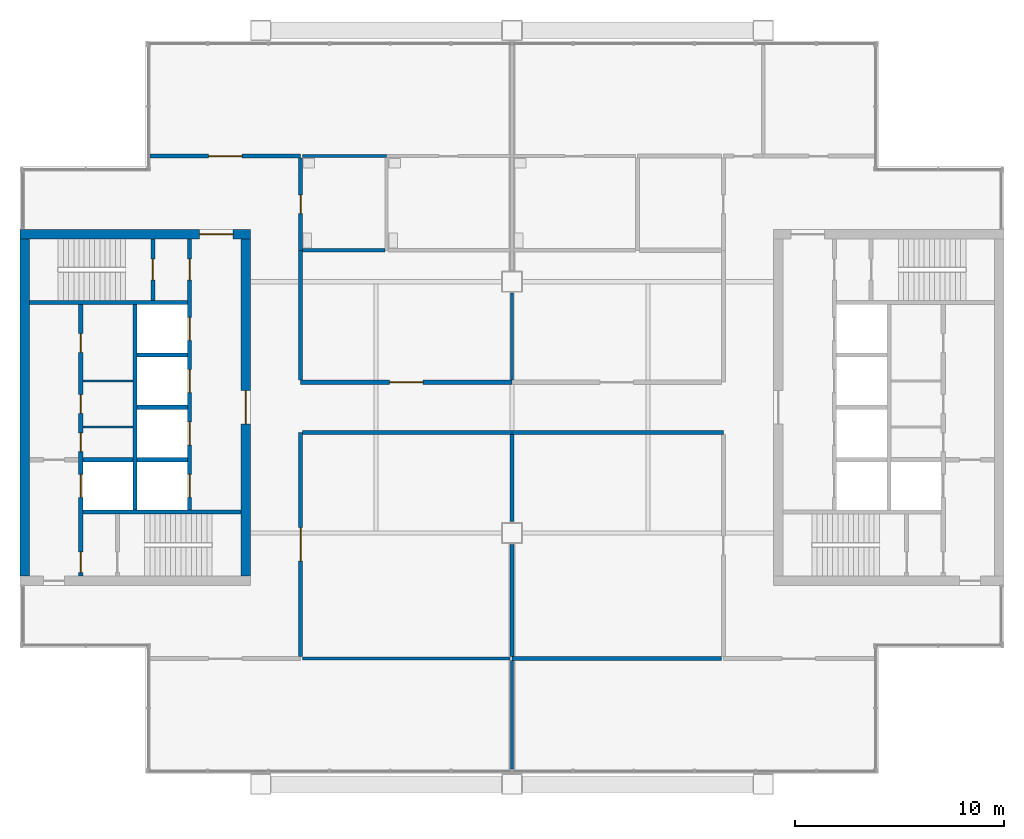
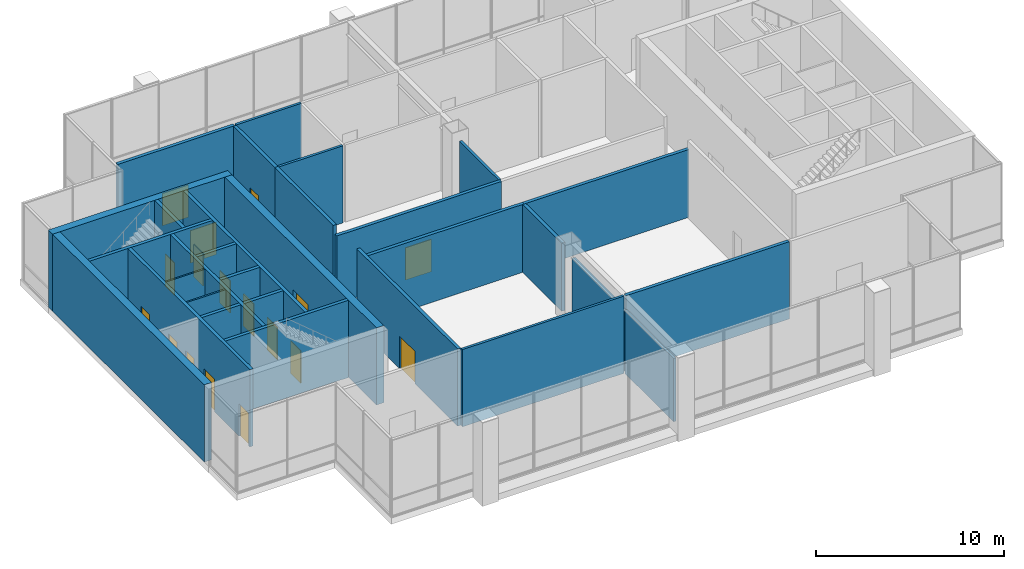
# One storey, part 11 of 15: 30 walls, 17 doors, 17 openings.
"""IFC4 building model written with IfcOpenShell, lengths in metres."""

from ifc_helpers import new_model, si_unit, direction, frame, frame_2d, origin, place, context, subcontext, project, spatial, rectangle, extrude, material, layer, layer_set, type_object, element, fill, save


model = new_model("IFC4")

# Units and contexts
model_context = context("Model", 3, precision=1e-05, world=origin(), true_north=direction((0.0, 1.0)))
body_context = subcontext(model_context, "Body", "Model", "MODEL_VIEW")
ifc_project = project(units=[si_unit("LENGTHUNIT", "METRE"), si_unit("AREAUNIT", "SQUARE_METRE"), si_unit("VOLUMEUNIT", "CUBIC_METRE"), si_unit("PLANEANGLEUNIT", "RADIAN"), si_unit("MASSUNIT", "GRAM", prefix="KILO")], contexts=[model_context])

# Site, building, storey
site_placement = place(None, origin())
site = spatial("IfcSite", under=ifc_project, at=site_placement, CompositionType="ELEMENT")
building_placement = place(site_placement, origin())
building = spatial("IfcBuilding", under=site, at=building_placement, Name="Kitamizu Gate Tower and Museum", CompositionType="ELEMENT")
storey_placement = place(building_placement, frame((0.0, 0.0, 277.949951171875)))
storey = spatial("IfcBuildingStorey", under=building, at=storey_placement, Name="L75", CompositionType="ELEMENT", Elevation=277.949951171875)

# Wall, opening, door
ifc_material_1 = material(Name="Concrete Fc42", Category="concrete")
ifc_layer_1 = layer(ifc_material_1, 0.449951171875)
ifc_layer_set_1 = layer_set([ifc_layer_1], Name="Concrete Fc42")
wall_type_1 = type_object("IfcWallType", Name="Core wall 450 EI 60", PredefinedType="SHEAR", material=ifc_layer_set_1)
wall_1_placement = place(storey_placement, frame((12.5, 38.27490234375, 0.0), z_axis=(0.0, 0.0, 1.0), x_axis=(1.0, 0.0, 0.0)))
wall_1 = element("IfcWall", 1, at=wall_1_placement, inside=storey, type_object=wall_type_1, Name="Core wall WN", PredefinedType="SHEAR", context=body_context, shape_type="SweptSolid", body=[
    extrude(rectangle(XDim=11.0, YDim=0.449951171875, at=frame_2d((5.5, 0.0))), origin(), (0.0, 0.0, 1.0), 5.0),
])
opening_1_placement = place(wall_1_placement, frame((8.574951171875, 0.0, 0.0)))
opening_1 = element("IfcOpeningElement", 2, at=opening_1_placement, cuts=wall_1, Name="Opening L75-020", PredefinedType="OPENING", context=body_context, shape_type="SweptSolid", body=[
    extrude(rectangle(XDim=1.60009765625, YDim=2.10009765625, at=frame_2d((0.800048828125, 1.050048828125))), frame((0.0, 0.23486328125, 0.0), z_axis=(0.0, -1.0, 0.0), x_axis=(1.0, 0.0, 0.0)), (0.0, 0.0, 1.0), 0.469970703125),
])
ifc_material_2 = material(Name="Timber door set", Category="wood")
door_type_1 = type_object("IfcDoorType", Name="Entrance door 1600", OperationType="DOUBLE_DOOR_SINGLE_SWING", PredefinedType="DOOR", material=ifc_material_2)
door_1_placement = place(opening_1_placement, origin())
door_1 = element("IfcDoor", 3, at=door_1_placement, inside=storey, type_object=door_type_1, Name="Lobby door L75-020", OperationType="DOUBLE_DOOR_SINGLE_SWING", OverallHeight=2.10009765625, OverallWidth=1.60009765625, PredefinedType="DOOR", context=body_context, shape_type="SweptSolid", body=[
    extrude(rectangle(XDim=1.60009765625, YDim=2.10009765625, at=frame_2d((0.800048828125, 1.050048828125))), frame((0.0, 0.02490234375, 0.0), z_axis=(0.0, -1.0, 0.0), x_axis=(1.0, 0.0, 0.0)), (0.0, 0.0, 1.0), 0.050048828125),
])
fill(opening_1, door_1)

# Wall
wall_2_placement = place(storey_placement, frame((12.72509765625, 21.949951171875, 0.0), z_axis=(0.0, 0.0, 1.0), x_axis=(0.0, 1.0, 0.0)))
element("IfcWall", 4, at=wall_2_placement, inside=storey, type_object=wall_type_1, Name="Core wall WOUT", PredefinedType="SHEAR", context=body_context, shape_type="SweptSolid", body=[
    extrude(rectangle(XDim=16.10009765625, YDim=0.449951171875, at=frame_2d((8.050048828125, 0.0))), origin(), (0.0, 0.0, 1.0), 5.0),
])

# Wall, opening, door
wall_3_placement = place(storey_placement, frame((23.27490234375, 21.949951171875, 0.0), z_axis=(0.0, 0.0, 1.0), x_axis=(0.0, 1.0, 0.0)))
wall_3 = element("IfcWall", 5, at=wall_3_placement, inside=storey, type_object=wall_type_1, Name="Core wall WARC", PredefinedType="SHEAR", context=body_context, shape_type="SweptSolid", body=[
    extrude(rectangle(XDim=16.10009765625, YDim=0.449951171875, at=frame_2d((8.050048828125, 0.0))), origin(), (0.0, 0.0, 1.0), 5.0),
])
opening_2_placement = place(wall_3_placement, frame((7.25, 0.0, 0.0)))
opening_2 = element("IfcOpeningElement", 6, at=opening_2_placement, cuts=wall_3, Name="Opening L75-021", PredefinedType="OPENING", context=body_context, shape_type="SweptSolid", body=[
    extrude(rectangle(XDim=1.60009765625, YDim=2.10009765625, at=frame_2d((0.800048828125, 1.050048828125))), frame((0.0, 0.23486328125, 0.0), z_axis=(0.0, -1.0, 0.0), x_axis=(1.0, 0.0, 0.0)), (0.0, 0.0, 1.0), 0.469970703125),
])
door_2_placement = place(opening_2_placement, origin())
door_2 = element("IfcDoor", 7, at=door_2_placement, inside=storey, type_object=door_type_1, Name="Lobby door L75-021", OperationType="DOUBLE_DOOR_SINGLE_SWING", OverallHeight=2.10009765625, OverallWidth=1.60009765625, PredefinedType="DOOR", context=body_context, shape_type="SweptSolid", body=[
    extrude(rectangle(XDim=1.60009765625, YDim=2.10009765625, at=frame_2d((0.800048828125, 1.050048828125))), frame((0.0, 0.02490234375, 0.0), z_axis=(0.0, -1.0, 0.0), x_axis=(1.0, 0.0, 0.0)), (0.0, 0.0, 1.0), 0.050048828125),
])
fill(opening_2, door_2)

# Walls
ifc_material_3 = material(Name="Gypsum board on galvanised stud")
ifc_layer_2 = layer(ifc_material_3, 0.10009765625)
ifc_layer_set_2 = layer_set([ifc_layer_2], Name="Gypsum board on galvanised stud")
wall_type_2 = type_object("IfcWallType", Name="Partition 100", PredefinedType="PARTITIONING", material=ifc_layer_set_2)
for number, where, z_axis, x_axis, name in (
    (8, (15.5, 29.06005859375, 0.0), (0.0, 0.0, 1.0), (1.0, 0.0, 0.0), "Partition WPF1"),
    (9, (15.5, 31.25, 0.0), (0.0, 0.0, 1.0), (1.0, 0.0, 0.0), "Partition WPF2"),
):
    element("IfcWall", number, at=place(storey_placement, frame(where, z_axis=z_axis, x_axis=x_axis)), inside=storey, type_object=wall_type_2, Name=name, PredefinedType="PARTITIONING", context=body_context, shape_type="SweptSolid", body=[
        extrude(rectangle(XDim=2.39990234375, YDim=0.10009765625, at=frame_2d((1.199951171875, 0.0))), origin(), (0.0, 0.0, 1.0), 5.0),
    ])
ifc_material_4 = material(Name="Gypsum board on galvanised stud")
ifc_layer_3 = layer(ifc_material_4, 0.14990234375)
ifc_layer_set_3 = layer_set([ifc_layer_3], Name="Gypsum board on galvanised stud")
wall_type_3 = type_object("IfcWallType", Name="Partition 150", PredefinedType="PARTITIONING", material=ifc_layer_set_3)
wall_4_placement = place(storey_placement, frame((36.0, 12.719970703125, 0.0), z_axis=(0.0, 0.0, 1.0), x_axis=(0.0, 1.0, 0.0)))
element("IfcWall", 10, at=wall_4_placement, inside=storey, type_object=wall_type_3, Name="Partition L75-016", PredefinedType="PARTITIONING", context=body_context, shape_type="SweptSolid", body=[
    extrude(rectangle(XDim=5.179931640625, YDim=0.14990234375, at=frame_2d((2.58984375, 0.0))), origin(), (0.0, 0.0, 1.0), 4.10009765625),
])
wall_5_placement = place(storey_placement, frame((35.89990234375, 18.0, 0.0), z_axis=(0.0, 0.0, 1.0), x_axis=(-1.0, 0.0, 0.0)))
element("IfcWall", 11, at=wall_5_placement, inside=storey, type_object=wall_type_3, Name="Partition L75-017", PredefinedType="PARTITIONING", context=body_context, shape_type="SweptSolid", body=[
    extrude(rectangle(XDim=9.89990234375, YDim=0.14990234375, at=frame_2d((4.949951171875, 0.0))), origin(), (0.0, 0.0, 1.0), 5.0),
])
wall_6_placement = place(storey_placement, frame((26.0, 42.0, 0.0), z_axis=(0.0, 0.0, 1.0), x_axis=(1.0, 0.0, 0.0)))
element("IfcWall", 12, at=wall_6_placement, inside=storey, type_object=wall_type_3, Name="Partition L75-020", PredefinedType="PARTITIONING", context=body_context, shape_type="SweptSolid", body=[
    extrude(rectangle(XDim=4.0, YDim=0.14990234375, at=frame_2d((2.0, 0.0))), origin(), (0.0, 0.0, 1.0), 5.0),
])
wall_7_placement = place(storey_placement, frame((26.0, 37.5, 0.0), z_axis=(0.0, 0.0, 1.0), x_axis=(1.0, 0.0, 0.0)))
element("IfcWall", 13, at=wall_7_placement, inside=storey, type_object=wall_type_3, Name="Partition L75-028", PredefinedType="PARTITIONING", context=body_context, shape_type="SweptSolid", body=[
    extrude(rectangle(XDim=3.925048828125, YDim=0.14990234375, at=frame_2d((1.96240234375, 0.0))), origin(), (0.0, 0.0, 1.0), 5.0),
])
wall_8_placement = place(storey_placement, frame((36.0, 31.300048828125, 0.0), z_axis=(0.0, 0.0, 1.0), x_axis=(0.0, 1.0, 0.0)))
element("IfcWall", 14, at=wall_8_placement, inside=storey, type_object=wall_type_3, Name="Partition L75-034", PredefinedType="PARTITIONING", context=body_context, shape_type="SweptSolid", body=[
    extrude(rectangle(XDim=4.14990234375, YDim=0.14990234375, at=frame_2d((2.074951171875, 0.0))), origin(), (0.0, 0.0, 1.0), 4.400146484375),
])

# Wall, opening, door
ifc_material_5 = material(Name="Gypsum board on galvanised stud")
ifc_layer_4 = layer(ifc_material_5, 0.199951171875)
ifc_layer_set_4 = layer_set([ifc_layer_4], Name="Gypsum board on galvanised stud")
wall_type_4 = type_object("IfcWallType", Name="Partition 200", PredefinedType="PARTITIONING", material=ifc_layer_set_4)
wall_9_placement = place(storey_placement, frame((25.89990234375, 42.0, 0.0), z_axis=(0.0, 0.0, 1.0), x_axis=(-1.0, 0.0, 0.0)))
wall_9 = element("IfcWall", 15, at=wall_9_placement, inside=storey, type_object=wall_type_4, Name="Partition L75-003", PredefinedType="PARTITIONING", context=body_context, shape_type="SweptSolid", body=[
    extrude(rectangle(XDim=7.179931640625, YDim=0.199951171875, at=frame_2d((3.58984375, 0.0))), origin(), (0.0, 0.0, 1.0), 5.0),
])
opening_3_placement = place(wall_9_placement, frame((2.7900390625, 0.0, 0.0)))
opening_3 = element("IfcOpeningElement", 16, at=opening_3_placement, cuts=wall_9, Name="Opening L75-003", PredefinedType="OPENING", context=body_context, shape_type="SweptSolid", body=[
    extrude(rectangle(XDim=1.60009765625, YDim=2.10009765625, at=frame_2d((0.800048828125, 1.050048828125))), frame((0.0, 0.10986328125, 0.0), z_axis=(0.0, -1.0, 0.0), x_axis=(1.0, 0.0, 0.0)), (0.0, 0.0, 1.0), 0.219970703125),
])
ifc_material_6 = material(Name="Timber door set", Category="wood")
door_type_2 = type_object("IfcDoorType", Name="Double door 1600", OperationType="DOUBLE_DOOR_SINGLE_SWING", PredefinedType="DOOR", material=ifc_material_6)
door_3_placement = place(opening_3_placement, origin())
door_3 = element("IfcDoor", 17, at=door_3_placement, inside=storey, type_object=door_type_2, Name="Double door L75-003", OperationType="DOUBLE_DOOR_SINGLE_SWING", OverallHeight=2.10009765625, OverallWidth=1.60009765625, PredefinedType="DOOR", context=body_context, shape_type="SweptSolid", body=[
    extrude(rectangle(XDim=1.60009765625, YDim=2.10009765625, at=frame_2d((0.800048828125, 1.050048828125))), frame((0.0, 0.02490234375, 0.0), z_axis=(0.0, -1.0, 0.0), x_axis=(1.0, 0.0, 0.0)), (0.0, 0.0, 1.0), 0.050048828125),
])
fill(opening_3, door_3)

wall_10_placement = place(storey_placement, frame((25.89990234375, 18.10009765625, 0.0), z_axis=(0.0, 0.0, 1.0), x_axis=(0.0, 1.0, 0.0)))
wall_10 = element("IfcWall", 18, at=wall_10_placement, inside=storey, type_object=wall_type_4, Name="Partition L75-006", PredefinedType="PARTITIONING", context=body_context, shape_type="SweptSolid", body=[
    extrude(rectangle(XDim=10.699951171875, YDim=0.199951171875, at=frame_2d((5.35009765625, 0.0))), origin(), (0.0, 0.0, 1.0), 5.0),
])
opening_4_placement = place(wall_10_placement, frame((4.550048828125, 0.0, 0.0)))
opening_4 = element("IfcOpeningElement", 19, at=opening_4_placement, cuts=wall_10, Name="Opening L75-006", PredefinedType="OPENING", context=body_context, shape_type="SweptSolid", body=[
    extrude(rectangle(XDim=1.60009765625, YDim=2.10009765625, at=frame_2d((0.800048828125, 1.050048828125))), frame((0.0, 0.10986328125, 0.0), z_axis=(0.0, -1.0, 0.0), x_axis=(1.0, 0.0, 0.0)), (0.0, 0.0, 1.0), 0.219970703125),
])
door_4_placement = place(opening_4_placement, origin())
door_4 = element("IfcDoor", 20, at=door_4_placement, inside=storey, type_object=door_type_2, Name="Double door L75-006", OperationType="DOUBLE_DOOR_SINGLE_SWING", OverallHeight=2.10009765625, OverallWidth=1.60009765625, PredefinedType="DOOR", context=body_context, shape_type="SweptSolid", body=[
    extrude(rectangle(XDim=1.60009765625, YDim=2.10009765625, at=frame_2d((0.800048828125, 1.050048828125))), frame((0.0, 0.02490234375, 0.0), z_axis=(0.0, -1.0, 0.0), x_axis=(1.0, 0.0, 0.0)), (0.0, 0.0, 1.0), 0.050048828125),
])
fill(opening_4, door_4)

# Walls
wall_11_placement = place(storey_placement, frame((26.0, 28.800048828125, 0.0), z_axis=(0.0, 0.0, 1.0), x_axis=(1.0, 0.0, 0.0)))
element("IfcWall", 21, at=wall_11_placement, inside=storey, type_object=wall_type_4, Name="Partition L75-007", PredefinedType="PARTITIONING", context=body_context, shape_type="SweptSolid", body=[
    extrude(rectangle(XDim=10.0, YDim=0.199951171875, at=frame_2d((5.0, 0.0))), origin(), (0.0, 0.0, 1.0), 4.400146484375),
])
wall_12_placement = place(storey_placement, frame((36.0, 28.800048828125, 0.0), z_axis=(0.0, 0.0, 1.0), x_axis=(1.0, 0.0, 0.0)))
element("IfcWall", 22, at=wall_12_placement, inside=storey, type_object=wall_type_4, Name="Partition L75-008", PredefinedType="PARTITIONING", context=body_context, shape_type="SweptSolid", body=[
    extrude(rectangle(XDim=10.10009765625, YDim=0.199951171875, at=frame_2d((5.050048828125, 0.0))), origin(), (0.0, 0.0, 1.0), 4.400146484375),
])

# Wall, opening, door
wall_13_placement = place(storey_placement, frame((25.89990234375, 37.5, 0.0), z_axis=(0.0, 0.0, 1.0), x_axis=(0.0, 1.0, 0.0)))
wall_13 = element("IfcWall", 23, at=wall_13_placement, inside=storey, type_object=wall_type_4, Name="Partition L75-010", PredefinedType="PARTITIONING", context=body_context, shape_type="SweptSolid", body=[
    extrude(rectangle(XDim=4.39990234375, YDim=0.199951171875, at=frame_2d((2.199951171875, 0.0))), origin(), (0.0, 0.0, 1.0), 5.0),
])
opening_5_placement = place(wall_13_placement, frame((1.75, 0.0, 0.0)))
opening_5 = element("IfcOpeningElement", 24, at=opening_5_placement, cuts=wall_13, Name="Opening L75-008", PredefinedType="OPENING", context=body_context, shape_type="SweptSolid", body=[
    extrude(rectangle(XDim=0.89990234375, YDim=2.10009765625, at=frame_2d((0.449951171875, 1.050048828125))), frame((0.0, 0.10986328125, 0.0), z_axis=(0.0, -1.0, 0.0), x_axis=(1.0, 0.0, 0.0)), (0.0, 0.0, 1.0), 0.219970703125),
])
ifc_material_7 = material(Name="Timber door set", Category="wood")
door_type_3 = type_object("IfcDoorType", Name="Store door 900", OperationType="NOTDEFINED", PredefinedType="DOOR", material=ifc_material_7)
door_5_placement = place(opening_5_placement, frame((0.89990234375, 0.0, 0.0), x_axis=(-1.0, 0.0, 0.0)))
door_5 = element("IfcDoor", 25, at=door_5_placement, inside=storey, type_object=door_type_3, Name="Store door L75-008", OperationType="SINGLE_SWING_LEFT", OverallHeight=2.10009765625, OverallWidth=0.89990234375, PredefinedType="DOOR", context=body_context, shape_type="SweptSolid", body=[
    extrude(rectangle(XDim=0.89990234375, YDim=2.10009765625, at=frame_2d((0.449951171875, 1.050048828125))), frame((0.0, 0.02490234375, 0.0), z_axis=(0.0, -1.0, 0.0), x_axis=(1.0, 0.0, 0.0)), (0.0, 0.0, 1.0), 0.050048828125),
])
fill(opening_5, door_5)

wall_14_placement = place(storey_placement, frame((36.0, 31.199951171875, 0.0), z_axis=(0.0, 0.0, 1.0), x_axis=(-1.0, 0.0, 0.0)))
wall_14 = element("IfcWall", 26, at=wall_14_placement, inside=storey, type_object=wall_type_4, Name="Partition L75-012", PredefinedType="PARTITIONING", context=body_context, shape_type="SweptSolid", body=[
    extrude(rectangle(XDim=10.10009765625, YDim=0.199951171875, at=frame_2d((5.050048828125, 0.0))), origin(), (0.0, 0.0, 1.0), 4.400146484375),
])
opening_6_placement = place(wall_14_placement, frame((4.25, 0.0, 0.0)))
opening_6 = element("IfcOpeningElement", 27, at=opening_6_placement, cuts=wall_14, Name="Opening L75-012", PredefinedType="OPENING", context=body_context, shape_type="SweptSolid", body=[
    extrude(rectangle(XDim=1.60009765625, YDim=2.10009765625, at=frame_2d((0.800048828125, 1.050048828125))), frame((0.0, 0.10986328125, 0.0), z_axis=(0.0, -1.0, 0.0), x_axis=(1.0, 0.0, 0.0)), (0.0, 0.0, 1.0), 0.219970703125),
])
door_6_placement = place(opening_6_placement, origin())
door_6 = element("IfcDoor", 28, at=door_6_placement, inside=storey, type_object=door_type_2, Name="Double door L75-012", OperationType="DOUBLE_DOOR_SINGLE_SWING", OverallHeight=2.10009765625, OverallWidth=1.60009765625, PredefinedType="DOOR", context=body_context, shape_type="SweptSolid", body=[
    extrude(rectangle(XDim=1.60009765625, YDim=2.10009765625, at=frame_2d((0.800048828125, 1.050048828125))), frame((0.0, 0.02490234375, 0.0), z_axis=(0.0, -1.0, 0.0), x_axis=(1.0, 0.0, 0.0)), (0.0, 0.0, 1.0), 0.050048828125),
])
fill(opening_6, door_6)

# Walls
wall_15_placement = place(storey_placement, frame((25.89990234375, 31.300048828125, 0.0), z_axis=(0.0, 0.0, 1.0), x_axis=(0.0, 1.0, 0.0)))
element("IfcWall", 29, at=wall_15_placement, inside=storey, type_object=wall_type_4, Name="Partition L75-013", PredefinedType="PARTITIONING", context=body_context, shape_type="SweptSolid", body=[
    extrude(rectangle(XDim=6.199951171875, YDim=0.199951171875, at=frame_2d((3.10009765625, 0.0))), origin(), (0.0, 0.0, 1.0), 5.0),
])
wall_16_placement = place(storey_placement, frame((46.0, 18.0, 0.0), z_axis=(0.0, 0.0, 1.0), x_axis=(-1.0, 0.0, 0.0)))
element("IfcWall", 30, at=wall_16_placement, inside=storey, type_object=wall_type_4, Name="Partition L75-018", PredefinedType="PARTITIONING", context=body_context, shape_type="SweptSolid", body=[
    extrude(rectangle(XDim=10.0, YDim=0.199951171875, at=frame_2d((5.0, 0.0))), origin(), (0.0, 0.0, 1.0), 5.0),
])
wall_17_placement = place(storey_placement, frame((36.0, 18.10009765625, 0.0), z_axis=(0.0, 0.0, 1.0), x_axis=(0.0, 1.0, 0.0)))
element("IfcWall", 31, at=wall_17_placement, inside=storey, type_object=wall_type_4, Name="Partition L75-025", PredefinedType="PARTITIONING", context=body_context, shape_type="SweptSolid", body=[
    extrude(rectangle(XDim=5.349853515625, YDim=0.199951171875, at=frame_2d((2.6748046875, 0.0))), origin(), (0.0, 0.0, 1.0), 4.10009765625),
])
wall_18_placement = place(storey_placement, frame((36.0, 24.550048828125, 0.0), z_axis=(0.0, 0.0, 1.0), x_axis=(0.0, 1.0, 0.0)))
element("IfcWall", 32, at=wall_18_placement, inside=storey, type_object=wall_type_4, Name="Partition L75-026", PredefinedType="PARTITIONING", context=body_context, shape_type="SweptSolid", body=[
    extrude(rectangle(XDim=4.14990234375, YDim=0.199951171875, at=frame_2d((2.074951171875, 0.0))), origin(), (0.0, 0.0, 1.0), 4.400146484375),
])

# Wall, openings, doors
ifc_material_8 = material(Name="Concrete Fc42", Category="concrete")
ifc_layer_5 = layer(ifc_material_8, 0.199951171875)
ifc_layer_set_5 = layer_set([ifc_layer_5], Name="Concrete Fc42")
wall_type_5 = type_object("IfcWallType", Name="Shaft wall 200", PredefinedType="SOLIDWALL", material=ifc_layer_set_5)
wall_19_placement = place(storey_placement, frame((15.39990234375, 21.949951171875, 0.0), z_axis=(0.0, 0.0, 1.0), x_axis=(0.0, 1.0, 0.0)))
wall_19 = element("IfcWall", 33, at=wall_19_placement, inside=storey, type_object=wall_type_5, Name="Shaft wall WWEST", PredefinedType="SOLIDWALL", context=body_context, shape_type="SweptSolid", body=[
    extrude(rectangle(XDim=12.949951171875, YDim=0.199951171875, at=frame_2d((6.47509765625, 0.0))), origin(), (0.0, 0.0, 1.0), 5.0),
])
opening_7_placement = place(wall_19_placement, frame((3.75, 0.0, 0.0)))
opening_7 = element("IfcOpeningElement", 34, at=opening_7_placement, cuts=wall_19, Name="Opening LD", PredefinedType="OPENING", context=body_context, shape_type="SweptSolid", body=[
    extrude(rectangle(XDim=1.10009765625, YDim=2.10009765625, at=frame_2d((0.550048828125, 1.050048828125))), frame((0.0, 0.10986328125, 0.0), z_axis=(0.0, -1.0, 0.0), x_axis=(1.0, 0.0, 0.0)), (0.0, 0.0, 1.0), 0.219970703125),
])
opening_8_placement = place(wall_19_placement, frame((0.14990234375, 0.0, 0.0)))
opening_8 = element("IfcOpeningElement", 35, at=opening_8_placement, cuts=wall_19, Name="Opening L75-015", PredefinedType="OPENING", context=body_context, shape_type="SweptSolid", body=[
    extrude(rectangle(XDim=1.0, YDim=2.10009765625, at=frame_2d((0.5, 1.050048828125))), frame((0.0, 0.10986328125, 0.0), z_axis=(0.0, -1.0, 0.0), x_axis=(1.0, 0.0, 0.0)), (0.0, 0.0, 1.0), 0.219970703125),
])
opening_9_placement = place(wall_19_placement, frame((5.929931640625, 0.0, 0.0)))
opening_9 = element("IfcOpeningElement", 36, at=opening_9_placement, cuts=wall_19, Name="Opening L75-022", PredefinedType="OPENING", context=body_context, shape_type="SweptSolid", body=[
    extrude(rectangle(XDim=0.89990234375, YDim=2.10009765625, at=frame_2d((0.449951171875, 1.050048828125))), frame((0.0, 0.10986328125, 0.0), z_axis=(0.0, -1.0, 0.0), x_axis=(1.0, 0.0, 0.0)), (0.0, 0.0, 1.0), 0.219970703125),
])
opening_10_placement = place(wall_19_placement, frame((7.7548828125, 0.0, 0.0)))
opening_10 = element("IfcOpeningElement", 37, at=opening_10_placement, cuts=wall_19, Name="Opening L75-023", PredefinedType="OPENING", context=body_context, shape_type="SweptSolid", body=[
    extrude(rectangle(XDim=0.89990234375, YDim=2.10009765625, at=frame_2d((0.449951171875, 1.050048828125))), frame((0.0, 0.10986328125, 0.0), z_axis=(0.0, -1.0, 0.0), x_axis=(1.0, 0.0, 0.0)), (0.0, 0.0, 1.0), 0.219970703125),
])
opening_11_placement = place(wall_19_placement, frame((10.675048828125, 0.0, 0.0)))
opening_11 = element("IfcOpeningElement", 38, at=opening_11_placement, cuts=wall_19, Name="Opening L75-024", PredefinedType="OPENING", context=body_context, shape_type="SweptSolid", body=[
    extrude(rectangle(XDim=0.89990234375, YDim=2.10009765625, at=frame_2d((0.449951171875, 1.050048828125))), frame((0.0, 0.10986328125, 0.0), z_axis=(0.0, -1.0, 0.0), x_axis=(1.0, 0.0, 0.0)), (0.0, 0.0, 1.0), 0.219970703125),
])
ifc_material_9 = material(Name="Hollow metal door set")
door_type_4 = type_object("IfcDoorType", Name="Fire door 1000", OperationType="NOTDEFINED", PredefinedType="DOOR", material=ifc_material_9)
door_7_placement = place(opening_8_placement, frame((1.0, 0.0, 0.0), x_axis=(-1.0, 0.0, 0.0)))
door_7 = element("IfcDoor", 39, at=door_7_placement, inside=storey, type_object=door_type_4, Name="Stair lobby door L75-015", OperationType="SINGLE_SWING_LEFT", OverallHeight=2.10009765625, OverallWidth=1.0, PredefinedType="DOOR", context=body_context, shape_type="SweptSolid", body=[
    extrude(rectangle(XDim=1.0, YDim=2.10009765625, at=frame_2d((0.5, 1.050048828125))), frame((0.0, 0.02490234375, 0.0), z_axis=(0.0, -1.0, 0.0), x_axis=(1.0, 0.0, 0.0)), (0.0, 0.0, 1.0), 0.050048828125),
])
fill(opening_8, door_7)
ifc_material_10 = material(Name="Hollow metal door set")
door_type_5 = type_object("IfcDoorType", Name="Landing door 1100", OperationType="SLIDING_TO_LEFT", PredefinedType="DOOR", material=ifc_material_10)
door_8_placement = place(opening_7_placement, origin())
door_8 = element("IfcDoor", 40, at=door_8_placement, inside=storey, type_object=door_type_5, Name="Landing door WFF1", OperationType="SLIDING_TO_LEFT", OverallHeight=2.10009765625, OverallWidth=1.10009765625, PredefinedType="DOOR", context=body_context, shape_type="SweptSolid", body=[
    extrude(rectangle(XDim=1.10009765625, YDim=2.10009765625, at=frame_2d((0.550048828125, 1.050048828125))), frame((0.0, 0.02490234375, 0.0), z_axis=(0.0, -1.0, 0.0), x_axis=(1.0, 0.0, 0.0)), (0.0, 0.0, 1.0), 0.050048828125),
])
fill(opening_7, door_8)
ifc_material_11 = material(Name="Timber door set", Category="wood")
door_type_6 = type_object("IfcDoorType", Name="Service door 900", OperationType="NOTDEFINED", PredefinedType="DOOR", material=ifc_material_11)
door_9_placement = place(opening_9_placement, frame((0.89990234375, 0.0, 0.0), x_axis=(-1.0, 0.0, 0.0)))
door_9 = element("IfcDoor", 41, at=door_9_placement, inside=storey, type_object=door_type_6, Name="Service door L75-022", OperationType="SINGLE_SWING_LEFT", OverallHeight=2.10009765625, OverallWidth=0.89990234375, PredefinedType="DOOR", context=body_context, shape_type="SweptSolid", body=[
    extrude(rectangle(XDim=0.89990234375, YDim=2.10009765625, at=frame_2d((0.449951171875, 1.050048828125))), frame((0.0, 0.02490234375, 0.0), z_axis=(0.0, -1.0, 0.0), x_axis=(1.0, 0.0, 0.0)), (0.0, 0.0, 1.0), 0.050048828125),
])
fill(opening_9, door_9)
door_10_placement = place(opening_10_placement, frame((0.89990234375, 0.0, 0.0), x_axis=(-1.0, 0.0, 0.0)))
door_10 = element("IfcDoor", 42, at=door_10_placement, inside=storey, type_object=door_type_6, Name="Service door L75-023", OperationType="SINGLE_SWING_RIGHT", OverallHeight=2.10009765625, OverallWidth=0.89990234375, PredefinedType="DOOR", context=body_context, shape_type="SweptSolid", body=[
    extrude(rectangle(XDim=0.89990234375, YDim=2.10009765625, at=frame_2d((0.449951171875, 1.050048828125))), frame((0.0, 0.02490234375, 0.0), z_axis=(0.0, -1.0, 0.0), x_axis=(1.0, 0.0, 0.0)), (0.0, 0.0, 1.0), 0.050048828125),
])
fill(opening_10, door_10)
door_11_placement = place(opening_11_placement, frame((0.89990234375, 0.0, 0.0), x_axis=(-1.0, 0.0, 0.0)))
door_11 = element("IfcDoor", 43, at=door_11_placement, inside=storey, type_object=door_type_6, Name="Service door L75-024", OperationType="SINGLE_SWING_LEFT", OverallHeight=2.10009765625, OverallWidth=0.89990234375, PredefinedType="DOOR", context=body_context, shape_type="SweptSolid", body=[
    extrude(rectangle(XDim=0.89990234375, YDim=2.10009765625, at=frame_2d((0.449951171875, 1.050048828125))), frame((0.0, 0.02490234375, 0.0), z_axis=(0.0, -1.0, 0.0), x_axis=(1.0, 0.0, 0.0)), (0.0, 0.0, 1.0), 0.050048828125),
])
fill(opening_11, door_11)

wall_20_placement = place(storey_placement, frame((20.60009765625, 25.10009765625, 0.0), z_axis=(0.0, 0.0, 1.0), x_axis=(0.0, 1.0, 0.0)))
wall_20 = element("IfcWall", 44, at=wall_20_placement, inside=storey, type_object=wall_type_5, Name="Shaft wall WEAST", PredefinedType="SOLIDWALL", context=body_context, shape_type="SweptSolid", body=[
    extrude(rectangle(XDim=12.949951171875, YDim=0.199951171875, at=frame_2d((6.47509765625, 0.0))), origin(), (0.0, 0.0, 1.0), 5.0),
])
opening_12_placement = place(wall_20_placement, frame((0.60009765625, 0.0, 0.0)))
opening_12 = element("IfcOpeningElement", 45, at=opening_12_placement, cuts=wall_20, Name="Opening LD", PredefinedType="OPENING", context=body_context, shape_type="SweptSolid", body=[
    extrude(rectangle(XDim=1.10009765625, YDim=2.10009765625, at=frame_2d((0.550048828125, 1.050048828125))), frame((0.0, 0.10986328125, 0.0), z_axis=(0.0, -1.0, 0.0), x_axis=(1.0, 0.0, 0.0)), (0.0, 0.0, 1.0), 0.219970703125),
])
opening_13_placement = place(wall_20_placement, frame((3.10009765625, 0.0, 0.0)))
opening_13 = element("IfcOpeningElement", 46, at=opening_13_placement, cuts=wall_20, Name="Opening LD", PredefinedType="OPENING", context=body_context, shape_type="SweptSolid", body=[
    extrude(rectangle(XDim=1.10009765625, YDim=2.10009765625, at=frame_2d((0.550048828125, 1.050048828125))), frame((0.0, 0.10986328125, 0.0), z_axis=(0.0, -1.0, 0.0), x_axis=(1.0, 0.0, 0.0)), (0.0, 0.0, 1.0), 0.219970703125),
])
opening_14_placement = place(wall_20_placement, frame((5.60009765625, 0.0, 0.0)))
opening_14 = element("IfcOpeningElement", 47, at=opening_14_placement, cuts=wall_20, Name="Opening LD", PredefinedType="OPENING", context=body_context, shape_type="SweptSolid", body=[
    extrude(rectangle(XDim=1.10009765625, YDim=2.10009765625, at=frame_2d((0.550048828125, 1.050048828125))), frame((0.0, 0.10986328125, 0.0), z_axis=(0.0, -1.0, 0.0), x_axis=(1.0, 0.0, 0.0)), (0.0, 0.0, 1.0), 0.219970703125),
])
opening_15_placement = place(wall_20_placement, frame((8.10009765625, 0.0, 0.0)))
opening_15 = element("IfcOpeningElement", 48, at=opening_15_placement, cuts=wall_20, Name="Opening LD", PredefinedType="OPENING", context=body_context, shape_type="SweptSolid", body=[
    extrude(rectangle(XDim=1.10009765625, YDim=2.10009765625, at=frame_2d((0.550048828125, 1.050048828125))), frame((0.0, 0.10986328125, 0.0), z_axis=(0.0, -1.0, 0.0), x_axis=(1.0, 0.0, 0.0)), (0.0, 0.0, 1.0), 0.219970703125),
])
opening_16_placement = place(wall_20_placement, frame((10.97509765625, 0.0, 0.0)))
opening_16 = element("IfcOpeningElement", 49, at=opening_16_placement, cuts=wall_20, Name="Opening L75-016", PredefinedType="OPENING", context=body_context, shape_type="SweptSolid", body=[
    extrude(rectangle(XDim=1.0, YDim=2.10009765625, at=frame_2d((0.5, 1.050048828125))), frame((0.0, 0.10986328125, 0.0), z_axis=(0.0, -1.0, 0.0), x_axis=(1.0, 0.0, 0.0)), (0.0, 0.0, 1.0), 0.219970703125),
])
door_12_placement = place(opening_16_placement, origin())
door_12 = element("IfcDoor", 50, at=door_12_placement, inside=storey, type_object=door_type_4, Name="Stair lobby door L75-016", OperationType="SINGLE_SWING_RIGHT", OverallHeight=2.10009765625, OverallWidth=1.0, PredefinedType="DOOR", context=body_context, shape_type="SweptSolid", body=[
    extrude(rectangle(XDim=1.0, YDim=2.10009765625, at=frame_2d((0.5, 1.050048828125))), frame((0.0, 0.02490234375, 0.0), z_axis=(0.0, -1.0, 0.0), x_axis=(1.0, 0.0, 0.0)), (0.0, 0.0, 1.0), 0.050048828125),
])
fill(opening_16, door_12)
door_13_placement = place(opening_12_placement, origin())
door_13 = element("IfcDoor", 51, at=door_13_placement, inside=storey, type_object=door_type_5, Name="Landing door WSV1", OperationType="SLIDING_TO_LEFT", OverallHeight=2.10009765625, OverallWidth=1.10009765625, PredefinedType="DOOR", context=body_context, shape_type="SweptSolid", body=[
    extrude(rectangle(XDim=1.10009765625, YDim=2.10009765625, at=frame_2d((0.550048828125, 1.050048828125))), frame((0.0, 0.02490234375, 0.0), z_axis=(0.0, -1.0, 0.0), x_axis=(1.0, 0.0, 0.0)), (0.0, 0.0, 1.0), 0.050048828125),
])
fill(opening_12, door_13)
door_14_placement = place(opening_13_placement, origin())
door_14 = element("IfcDoor", 52, at=door_14_placement, inside=storey, type_object=door_type_5, Name="Landing door WH1", OperationType="SLIDING_TO_LEFT", OverallHeight=2.10009765625, OverallWidth=1.10009765625, PredefinedType="DOOR", context=body_context, shape_type="SweptSolid", body=[
    extrude(rectangle(XDim=1.10009765625, YDim=2.10009765625, at=frame_2d((0.550048828125, 1.050048828125))), frame((0.0, 0.02490234375, 0.0), z_axis=(0.0, -1.0, 0.0), x_axis=(1.0, 0.0, 0.0)), (0.0, 0.0, 1.0), 0.050048828125),
])
fill(opening_13, door_14)
door_15_placement = place(opening_14_placement, origin())
door_15 = element("IfcDoor", 53, at=door_15_placement, inside=storey, type_object=door_type_5, Name="Landing door WH2", OperationType="SLIDING_TO_LEFT", OverallHeight=2.10009765625, OverallWidth=1.10009765625, PredefinedType="DOOR", context=body_context, shape_type="SweptSolid", body=[
    extrude(rectangle(XDim=1.10009765625, YDim=2.10009765625, at=frame_2d((0.550048828125, 1.050048828125))), frame((0.0, 0.02490234375, 0.0), z_axis=(0.0, -1.0, 0.0), x_axis=(1.0, 0.0, 0.0)), (0.0, 0.0, 1.0), 0.050048828125),
])
fill(opening_14, door_15)
door_16_placement = place(opening_15_placement, origin())
door_16 = element("IfcDoor", 54, at=door_16_placement, inside=storey, type_object=door_type_5, Name="Landing door WH3", OperationType="SLIDING_TO_LEFT", OverallHeight=2.10009765625, OverallWidth=1.10009765625, PredefinedType="DOOR", context=body_context, shape_type="SweptSolid", body=[
    extrude(rectangle(XDim=1.10009765625, YDim=2.10009765625, at=frame_2d((0.550048828125, 1.050048828125))), frame((0.0, 0.02490234375, 0.0), z_axis=(0.0, -1.0, 0.0), x_axis=(1.0, 0.0, 0.0)), (0.0, 0.0, 1.0), 0.050048828125),
])
fill(opening_15, door_16)

# Walls
wall_21_placement = place(storey_placement, frame((18.0, 25.10009765625, 0.0), z_axis=(0.0, 0.0, 1.0), x_axis=(0.0, 1.0, 0.0)))
element("IfcWall", 55, at=wall_21_placement, inside=storey, type_object=wall_type_5, Name="Shaft wall WMID", PredefinedType="SOLIDWALL", context=body_context, shape_type="SweptSolid", body=[
    extrude(rectangle(XDim=9.7998046875, YDim=0.199951171875, at=frame_2d((4.89990234375, 0.0))), origin(), (0.0, 0.0, 1.0), 5.0),
])
for number, where, z_axis, x_axis, name in (
    (56, (15.5, 25.0, 0.0), (0.0, 0.0, 1.0), (1.0, 0.0, 0.0), "Shaft wall WSB"),
    (57, (12.949951171875, 35.0, 0.0), (0.0, 0.0, 1.0), (1.0, 0.0, 0.0), "Shaft wall WNB"),
):
    element("IfcWall", number, at=place(storey_placement, frame(where, z_axis=z_axis, x_axis=x_axis)), inside=storey, type_object=wall_type_5, Name=name, PredefinedType="SOLIDWALL", context=body_context, shape_type="SweptSolid", body=[
        extrude(rectangle(XDim=7.550048828125, YDim=0.199951171875, at=frame_2d((3.77490234375, 0.0))), origin(), (0.0, 0.0, 1.0), 5.0),
    ])

# Wall, opening, door
wall_22_placement = place(storey_placement, frame((18.85009765625, 35.10009765625, 0.0), z_axis=(0.0, 0.0, 1.0), x_axis=(0.0, 1.0, 0.0)))
wall_22 = element("IfcWall", 58, at=wall_22_placement, inside=storey, type_object=wall_type_5, Name="Shaft wall WNZ", PredefinedType="SOLIDWALL", context=body_context, shape_type="SweptSolid", body=[
    extrude(rectangle(XDim=2.949951171875, YDim=0.199951171875, at=frame_2d((1.47509765625, 0.0))), origin(), (0.0, 0.0, 1.0), 5.0),
])
opening_17_placement = place(wall_22_placement, frame((0.97509765625, 0.0, 0.0)))
opening_17 = element("IfcOpeningElement", 59, at=opening_17_placement, cuts=wall_22, Name="Opening L75-017", PredefinedType="OPENING", context=body_context, shape_type="SweptSolid", body=[
    extrude(rectangle(XDim=1.0, YDim=2.10009765625, at=frame_2d((0.5, 1.050048828125))), frame((0.0, 0.10986328125, 0.0), z_axis=(0.0, -1.0, 0.0), x_axis=(1.0, 0.0, 0.0)), (0.0, 0.0, 1.0), 0.219970703125),
])
door_17_placement = place(opening_17_placement, origin())
door_17 = element("IfcDoor", 60, at=door_17_placement, inside=storey, type_object=door_type_4, Name="Stair door L75-017", OperationType="SINGLE_SWING_LEFT", OverallHeight=2.10009765625, OverallWidth=1.0, PredefinedType="DOOR", context=body_context, shape_type="SweptSolid", body=[
    extrude(rectangle(XDim=1.0, YDim=2.10009765625, at=frame_2d((0.5, 1.050048828125))), frame((0.0, 0.02490234375, 0.0), z_axis=(0.0, -1.0, 0.0), x_axis=(1.0, 0.0, 0.0)), (0.0, 0.0, 1.0), 0.050048828125),
])
fill(opening_17, door_17)

# Walls
for number, where, z_axis, x_axis, name in (
    (61, (15.5, 27.5, 0.0), (0.0, 0.0, 1.0), (1.0, 0.0, 0.0), "Shaft wall WDVW0"),
    (62, (18.10009765625, 27.5, 0.0), (0.0, 0.0, 1.0), (1.0, 0.0, 0.0), "Shaft wall WDVE0"),
    (63, (18.10009765625, 30.0, 0.0), (0.0, 0.0, 1.0), (1.0, 0.0, 0.0), "Shaft wall WDVE1"),
    (64, (18.10009765625, 32.5, 0.0), (0.0, 0.0, 1.0), (1.0, 0.0, 0.0), "Shaft wall WDVE2"),
):
    element("IfcWall", number, at=place(storey_placement, frame(where, z_axis=z_axis, x_axis=x_axis)), inside=storey, type_object=wall_type_5, Name=name, PredefinedType="SOLIDWALL", context=body_context, shape_type="SweptSolid", body=[
        extrude(rectangle(XDim=2.39990234375, YDim=0.199951171875, at=frame_2d((1.199951171875, 0.0))), origin(), (0.0, 0.0, 1.0), 5.0),
    ])

save(model, "model.ifc")
